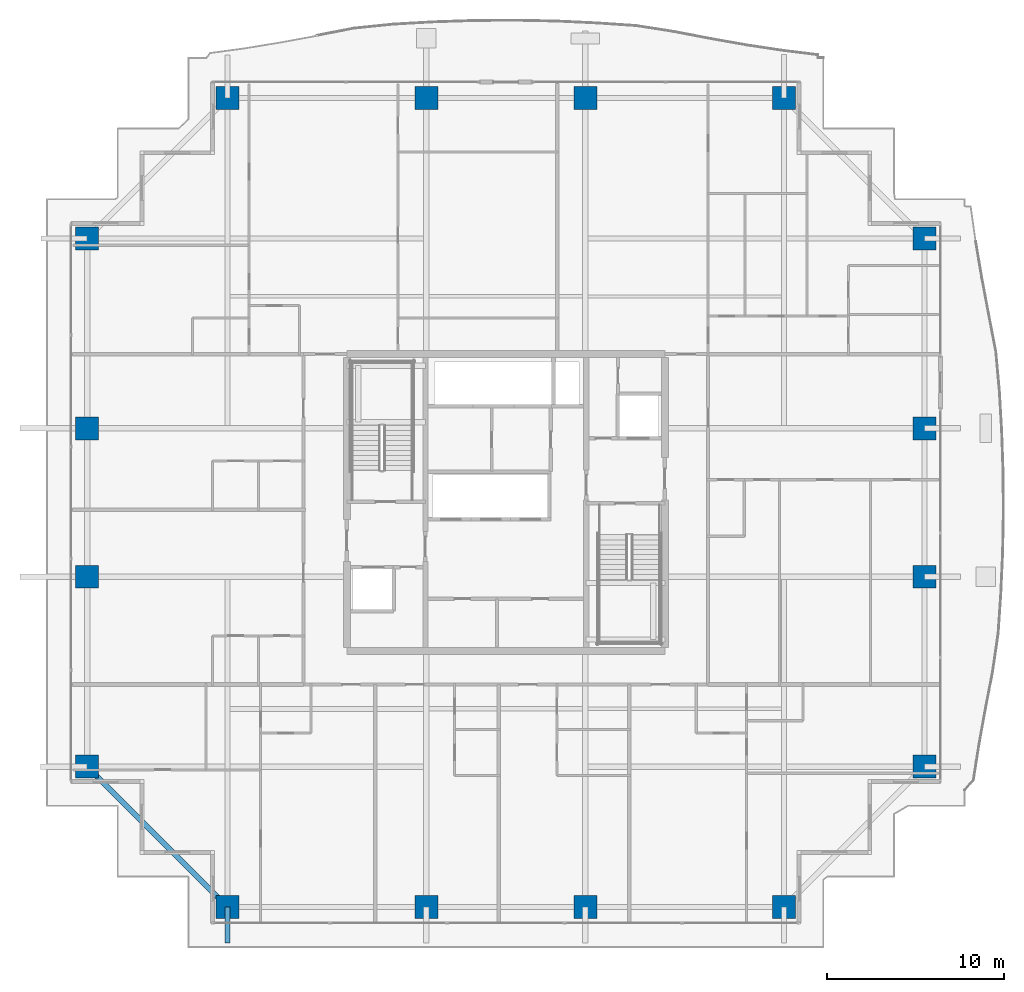
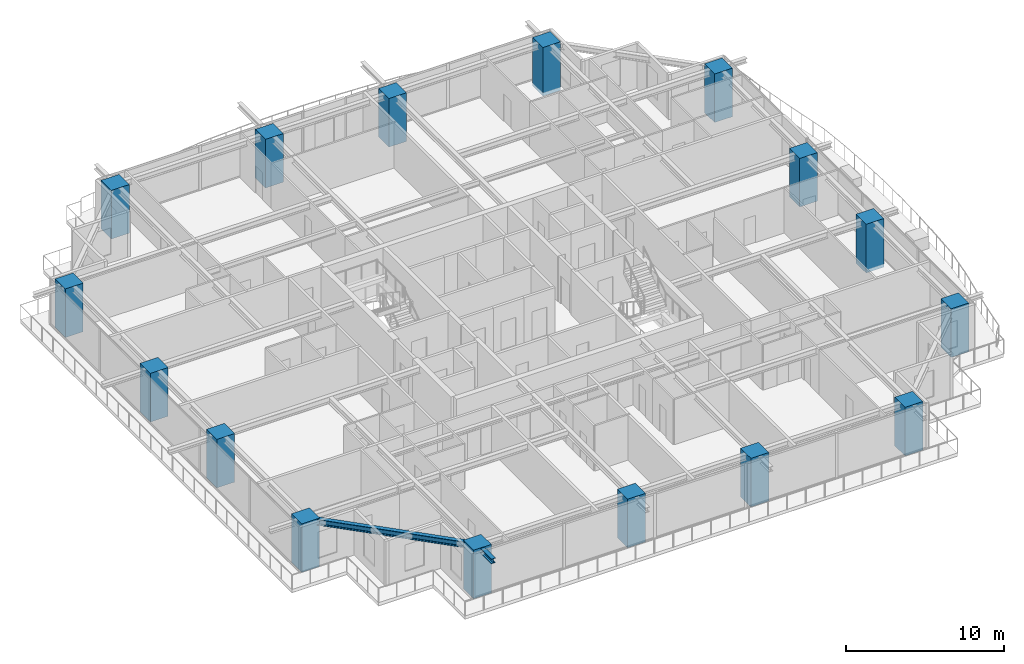
# One storey, part 1 of 33: 16 columns, 2 beams.
"""IFC4 building model written with IfcOpenShell, lengths in metres."""

from ifc_helpers import new_model, si_unit, direction, frame, origin, origin_2d, place, context, subcontext, project, spatial, rectangle, i_section, extrude, source, transform, mapped, material, material_profile, profile_set, type_object, element, save


model = new_model("IFC4")

# Units and contexts
model_context = context("Model", 3, precision=1e-05, world=origin(), true_north=direction((0.0, 1.0)))
body_context = subcontext(model_context, "Body", "Model", "MODEL_VIEW")
ifc_project = project(units=[si_unit("LENGTHUNIT", "METRE"), si_unit("AREAUNIT", "SQUARE_METRE"), si_unit("VOLUMEUNIT", "CUBIC_METRE"), si_unit("PLANEANGLEUNIT", "RADIAN"), si_unit("MASSUNIT", "GRAM", prefix="KILO")], contexts=[model_context])

# Site, building, storey
site_placement = place(None, origin())
site = spatial("IfcSite", under=ifc_project, at=site_placement, CompositionType="ELEMENT")
building_placement = place(site_placement, origin())
building = spatial("IfcBuilding", under=site, at=building_placement, Name="Serunith Strait Residences", CompositionType="ELEMENT")
storey_placement = place(building_placement, frame((0.0, 0.0, 150.14990234375)))
storey = spatial("IfcBuildingStorey", under=building, at=storey_placement, Name="L37", CompositionType="ELEMENT", Elevation=150.14990234375)

# Columns
ifc_material_1 = material(Name="Concrete C80/95", Category="concrete")
ifc_material_profile_1 = material_profile(ifc_material_1, rectangle(XDim=1.300048828125, YDim=1.300048828125, at=origin_2d()), Name="RC 1300x1300")
ifc_profile_set_1 = profile_set([ifc_material_profile_1], Name="Concrete C80/95")
column_type = type_object("IfcColumnType", Name="COL-RC-1300", PredefinedType="COLUMN", material=ifc_profile_set_1)
shared_shape_1 = source(origin(), body_context, "Body", "SweptSolid", [
    extrude(rectangle(XDim=1.300048828125, YDim=1.300048828125, at=origin_2d()), origin(), (0.0, 0.0, 1.0), 3.75),
])
for number, where, z_axis, x_axis, name in (
    (1, (16.64990234375, 2.300048828125, -0.260009765625), (0.0, 0.0, 1.0), (1.0, 0.0, 0.0), "L37 Tower Mega-Column TC-S1"),
    (2, (27.89990234375, 2.300048828125, -0.260009765625), (0.0, 0.0, 1.0), (1.0, 0.0, 0.0), "L37 Tower Mega-Column TC-S2"),
    (3, (36.89990234375, 2.300048828125, -0.260009765625), (0.0, 0.0, 1.0), (1.0, 0.0, 0.0), "L37 Tower Mega-Column TC-S3"),
    (4, (48.14990234375, 2.300048828125, -0.260009765625), (0.0, 0.0, 1.0), (1.0, 0.0, 0.0), "L37 Tower Mega-Column TC-S4"),
    (5, (16.64990234375, 48.10009765625, -0.260009765625), (0.0, 0.0, 1.0), (1.0, 0.0, 0.0), "L37 Tower Mega-Column TC-N1"),
    (6, (27.89990234375, 48.10009765625, -0.260009765625), (0.0, 0.0, 1.0), (1.0, 0.0, 0.0), "L37 Tower Mega-Column TC-N2"),
    (7, (36.89990234375, 48.10009765625, -0.260009765625), (0.0, 0.0, 1.0), (1.0, 0.0, 0.0), "L37 Tower Mega-Column TC-N3"),
    (8, (48.14990234375, 48.10009765625, -0.260009765625), (0.0, 0.0, 1.0), (1.0, 0.0, 0.0), "L37 Tower Mega-Column TC-N4"),
    (9, (56.10009765625, 10.25, -0.260009765625), (0.0, 0.0, 1.0), (1.0, 0.0, 0.0), "L37 Tower Mega-Column TC-E1"),
    (10, (56.10009765625, 21.0, -0.260009765625), (0.0, 0.0, 1.0), (1.0, 0.0, 0.0), "L37 Tower Mega-Column TC-E2"),
    (11, (56.10009765625, 29.39990234375, -0.260009765625), (0.0, 0.0, 1.0), (1.0, 0.0, 0.0), "L37 Tower Mega-Column TC-E3"),
    (12, (56.10009765625, 40.14990234375, -0.260009765625), (0.0, 0.0, 1.0), (1.0, 0.0, 0.0), "L37 Tower Mega-Column TC-E4"),
    (13, (8.699951171875, 10.25, -0.260009765625), (0.0, 0.0, 1.0), (1.0, 0.0, 0.0), "L37 Tower Mega-Column TC-W1"),
    (14, (8.699951171875, 21.0, -0.260009765625), (0.0, 0.0, 1.0), (1.0, 0.0, 0.0), "L37 Tower Mega-Column TC-W2"),
    (15, (8.699951171875, 29.39990234375, -0.260009765625), (0.0, 0.0, 1.0), (1.0, 0.0, 0.0), "L37 Tower Mega-Column TC-W3"),
    (16, (8.699951171875, 40.14990234375, -0.260009765625), (0.0, 0.0, 1.0), (1.0, 0.0, 0.0), "L37 Tower Mega-Column TC-W4"),
):
    element("IfcColumn", number, at=place(storey_placement, frame(where, z_axis=z_axis, x_axis=x_axis)), inside=storey, type_object=column_type, Name=name, PredefinedType="COLUMN", context=body_context, shape_type="MappedRepresentation", body=[
        mapped(shared_shape_1, transform((0.0, 0.0, 0.0), scale=1.0)),
    ])

# Beams
ifc_material_2 = material(Name="Steel S355J2", Category="steel")
ifc_material_profile_2 = material_profile(ifc_material_2, i_section(OverallWidth=0.300048828125, OverallDepth=0.449951171875, WebThickness=0.013916015625, FlangeThickness=0.02587890625, FilletRadius=0.027099609375, at=origin_2d()), Name="HEB 450")
ifc_profile_set_2 = profile_set([ifc_material_profile_2], Name="Steel S355J2")
beam_type_1 = type_object("IfcBeamType", Name="BM-HEB450", PredefinedType="BEAM", material=ifc_profile_set_2)
shared_shape_2 = source(origin(), body_context, "Body", "SweptSolid", [
    extrude(i_section(OverallWidth=0.300048828125, OverallDepth=0.449951171875, WebThickness=0.013916015625, FlangeThickness=0.02587890625, FilletRadius=0.027099609375, at=origin_2d()), origin(), (0.0, 0.0, 1.0), 11.242919921875),
])
beam_1_placement = place(storey_placement, frame((8.699951171875, 10.25, 3.232177734375), z_axis=(0.707106781187, -0.707106781187, 0.0), x_axis=(0.707106781187, 0.707106781187, 0.0)))
element("IfcBeam", 17, at=beam_1_placement, inside=storey, type_object=beam_type_1, Name="L37 Perimeter Ring Beam 16", PredefinedType="BEAM", context=body_context, shape_type="MappedRepresentation", body=[
    mapped(shared_shape_2, transform((0.0, 0.0, 0.0), scale=1.0)),
])
ifc_material_profile_3 = material_profile(ifc_material_2, i_section(OverallWidth=0.300048828125, OverallDepth=0.360107421875, WebThickness=0.012451171875, FlangeThickness=0.0224609375, FilletRadius=0.027099609375, at=origin_2d()), Name="HEB 360")
ifc_profile_set_3 = profile_set([ifc_material_profile_3], Name="Steel S355J2")
beam_type_2 = type_object("IfcBeamType", Name="BM-HEB360", PredefinedType="BEAM", material=ifc_profile_set_3)
shared_shape_3 = source(origin(), body_context, "Body", "SweptSolid", [
    extrude(i_section(OverallWidth=0.300048828125, OverallDepth=0.360107421875, WebThickness=0.012451171875, FlangeThickness=0.0224609375, FilletRadius=0.027099609375, at=origin_2d()), origin(), (0.0, 0.0, 1.0), 2.030029296875),
])
beam_2_placement = place(storey_placement, frame((16.64990234375, 2.300048828125, 3.277099609375), z_axis=(0.0, -1.0, 0.0), x_axis=(1.0, 0.0, 0.0)))
element("IfcBeam", 18, at=beam_2_placement, inside=storey, type_object=beam_type_2, Name="L38 Cantilevered Balcony Rib TC-S1", PredefinedType="BEAM", context=body_context, shape_type="MappedRepresentation", body=[
    mapped(shared_shape_3, transform((0.0, 0.0, 0.0), scale=1.0)),
])

save(model, "model.ifc")
